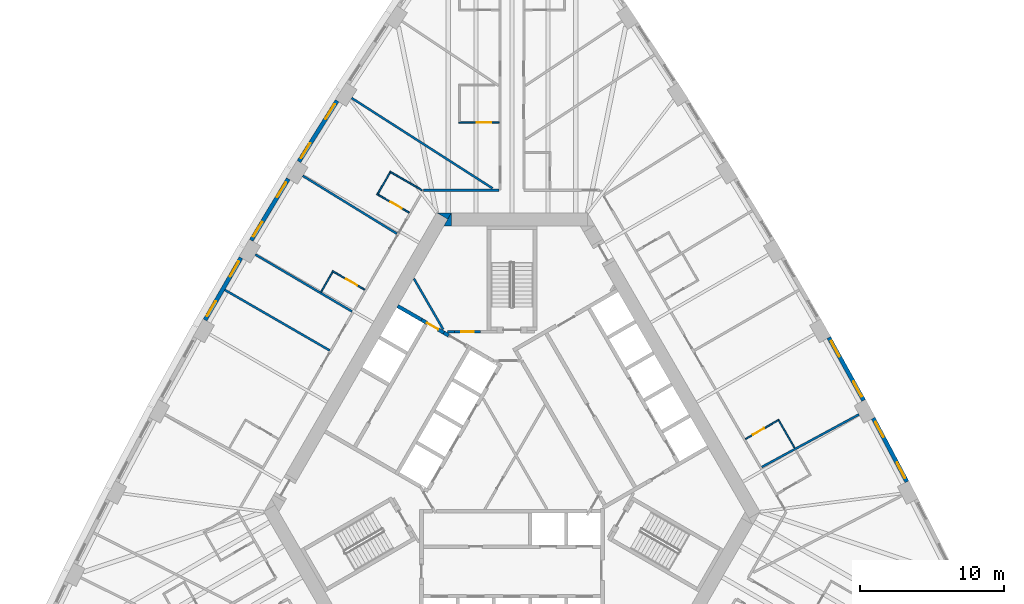
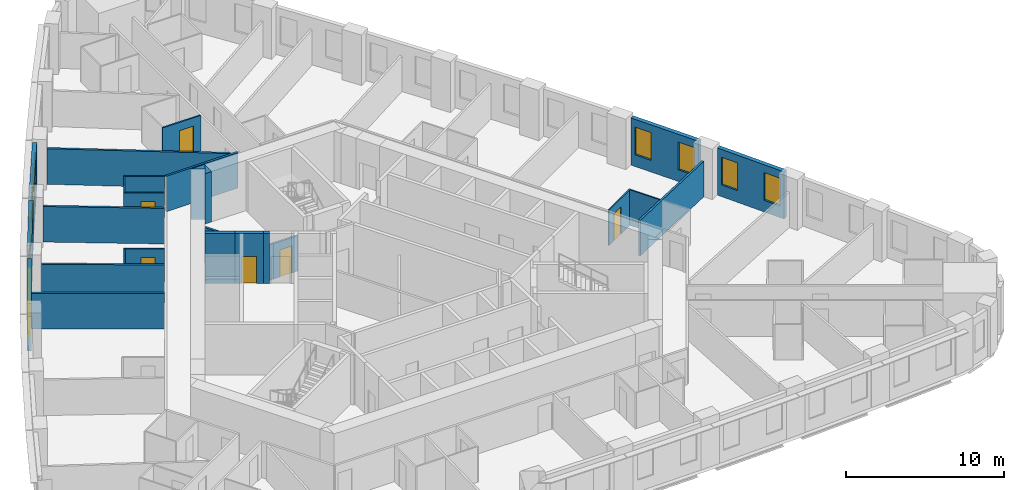
# One storey, part 9 of 13: 27 walls, 10 windows, 6 doors, 16 openings.
"""IFC4 building model written with IfcOpenShell, lengths in metres."""

import ifcopenshell
import ifcopenshell.guid

model = None  # the IFC model being written
_history = None  # IfcOwnerHistory: only IFC2X3 demands one
_inside = {}  # id of a spatial element -> (the spatial element, [elements in it])
_under = {}  # id of a project, library or spatial element -> (it, [spatial elements below it])
_declared = {}  # id of a project -> (the project, [libraries it declares])
_typed = {}  # id of a type object -> (the type object, [elements of that type])
_made_of = {}  # id of a material, layer set ... -> (it, [elements and type objects made of it])


def new_model(schema):
    """Start an empty IFC model of exactly this schema.

    Asked for "IFC4X3", IfcOpenShell would pick the latest addendum, in which some entities
    have other attributes; the version numbers below select the first issue.
    IFC2X3 requires an IfcOwnerHistory on every rooted entity: one is made here for all.
    """
    global model, _history
    if schema == "IFC4X3":
        model = ifcopenshell.file(schema_version=(4, 3, 0, 0))
    else:
        model = ifcopenshell.file(schema=schema)
    _inside.clear()
    _under.clear()
    _declared.clear()
    _typed.clear()
    _made_of.clear()
    _history = None
    if model.schema == "IFC2X3":
        org = make("IfcOrganization", Name="unknown")
        user = make(
            "IfcPersonAndOrganization",
            ThePerson=make("IfcPerson", FamilyName="unknown"),
            TheOrganization=org,
        )
        app = make(
            "IfcApplication",
            ApplicationDeveloper=org,
            Version="unknown",
            ApplicationFullName="unknown",
            ApplicationIdentifier="unknown",
        )
        _history = make(
            "IfcOwnerHistory",
            OwningUser=user,
            OwningApplication=app,
            ChangeAction="ADDED",
            CreationDate=0,
        )
    return model


def make(cls, **values):
    """One entity of the class cls with the attributes given. An attribute that is None is left unset."""
    return model.create_entity(
        cls, **{name: value for name, value in values.items() if value is not None}
    )


def rooted(cls, **values):
    """An entity with a GlobalId (a new one), such as an element, a storey or a relation."""
    return make(cls, GlobalId=ifcopenshell.guid.new(), OwnerHistory=_history, **values)


def si_unit(unit_type, name, prefix=None):
    """IfcSIUnit, for example si_unit("LENGTHUNIT", "METRE", prefix="MILLI")."""
    return make("IfcSIUnit", UnitType=unit_type, Prefix=prefix, Name=name)


def assignment(units):
    """IfcUnitAssignment: the units of a project."""
    return None if units is None else make("IfcUnitAssignment", Units=units)


def point(xyz):
    """IfcCartesianPoint."""
    return None if xyz is None else make("IfcCartesianPoint", Coordinates=xyz)


def direction(xyz):
    """IfcDirection."""
    return None if xyz is None else make("IfcDirection", DirectionRatios=xyz)


def frame(location, z_axis=None, x_axis=None):
    """IfcAxis2Placement3D, a coordinate frame: its origin and axes. An axis left out is left unset."""
    return make(
        "IfcAxis2Placement3D",
        Location=point(location),
        Axis=direction(z_axis),
        RefDirection=direction(x_axis),
    )


def frame_2d(location, x_axis=None):
    """IfcAxis2Placement2D, a coordinate frame in the plane: its origin and x axis."""
    return make(
        "IfcAxis2Placement2D", Location=point(location), RefDirection=direction(x_axis)
    )


def origin():
    """The frame at (0, 0, 0) with its axes left unset."""
    return frame((0.0, 0.0, 0.0))


def place(relative_to, where):
    """IfcLocalPlacement: puts the frame where relative to a parent placement (None: the world)."""
    return make(
        "IfcLocalPlacement", PlacementRelTo=relative_to, RelativePlacement=where
    )


def context(
    kind, dimensions, precision=None, world=None, true_north=None, identifier=None
):
    """IfcGeometricRepresentationContext, for example the 3D "Model" context."""
    return make(
        "IfcGeometricRepresentationContext",
        ContextIdentifier=identifier,
        ContextType=kind,
        CoordinateSpaceDimension=dimensions,
        Precision=precision,
        WorldCoordinateSystem=world,
        TrueNorth=true_north,
    )


def subcontext(parent, identifier, kind, view, scale=None):
    """IfcGeometricRepresentationSubContext, for example "Body" below "Model"."""
    return make(
        "IfcGeometricRepresentationSubContext",
        ContextIdentifier=identifier,
        ContextType=kind,
        ParentContext=parent,
        TargetScale=scale,
        TargetView=view,
    )


def project(units=None, contexts=None):
    """IfcProject with its units and contexts."""
    return rooted(
        "IfcProject",
        Name="project",
        RepresentationContexts=contexts,
        UnitsInContext=assignment(units),
    )


def spatial(cls, under=None, at=None, **own):
    """A site, building, storey or space (cls), placed at a placement, below another one or the project."""
    s = rooted(cls, ObjectPlacement=at, **own)
    if under is not None:
        _under.setdefault(under.id(), (under, []))[1].append(s)
    return s


def polyline(points):
    """IfcPolyline through the points."""
    return make("IfcPolyline", Points=[point(p) for p in points])


def profile(cls, at=None, kind="AREA", **sizes):
    """A parametric profile (cls). Its sizes go by their IFC names, for example OverallWidth=200.0."""
    return make(cls, ProfileType=kind, Position=at, **sizes)


def rectangle(**sizes):
    """IfcRectangleProfileDef."""
    return profile("IfcRectangleProfileDef", **sizes)


def outline(outer, holes=None, kind="AREA"):
    """IfcArbitraryClosedProfileDef: a profile drawn as a closed curve; with holes, ...WithVoids."""
    if holes is None:
        return make("IfcArbitraryClosedProfileDef", ProfileType=kind, OuterCurve=outer)
    return make(
        "IfcArbitraryProfileDefWithVoids",
        ProfileType=kind,
        OuterCurve=outer,
        InnerCurves=holes,
    )


def extrude(swept, where, along, depth):
    """IfcExtrudedAreaSolid: the profile swept, set in the frame where, extruded along a direction by depth."""
    return make(
        "IfcExtrudedAreaSolid",
        SweptArea=swept,
        Position=where,
        ExtrudedDirection=direction(along),
        Depth=depth,
    )


def shape(context_of_items, identifier, shape_type, items):
    """IfcShapeRepresentation: the items that make up one representation, for example the "Body"."""
    return make(
        "IfcShapeRepresentation",
        ContextOfItems=context_of_items,
        RepresentationIdentifier=identifier,
        RepresentationType=shape_type,
        Items=items,
    )


def material(Name=None, Category=None):
    """IfcMaterial."""
    return make("IfcMaterial", Name=Name, Category=Category)


def layer(
    of_material, thickness, ventilated=None, Name=None, Category=None, Priority=None
):
    """IfcMaterialLayer: one layer of a wall or slab, of a material (None: an air gap)."""
    return make(
        "IfcMaterialLayer",
        Material=of_material,
        LayerThickness=thickness,
        IsVentilated=ventilated,
        Name=Name,
        Category=Category,
        Priority=Priority,
    )


def layer_set(layers, Name=None):
    """IfcMaterialLayerSet."""
    return make("IfcMaterialLayerSet", MaterialLayers=layers, LayerSetName=Name)


def made_of(thing, what):
    """Note that an element or type object is made of a material, layer set ...; save() writes the relation."""
    if what is not None:
        _made_of.setdefault(what.id(), (what, []))[1].append(thing)
    return thing


def type_object(cls, material=None, **own):
    """A type object (cls), such as IfcWallType, which elements share."""
    return made_of(rooted(cls, **own), material)


def element(
    cls,
    number,
    at=None,
    inside=None,
    cuts=None,
    type_object=None,
    material=None,
    context=None,
    identifier="Body",
    shape_type=None,
    held_by="IfcProductDefinitionShape",
    body=None,
    shapes=None,
    **own,
):
    """One element of the class cls, such as IfcWall. Its Tag is "e" and its number.

    at: its placement. inside: the storey or other place that contains it. cuts: it is an
    opening in that element (IfcRelVoidsElement). A single representation is given by context,
    identifier, shape_type and body (its items); several are given by shapes. held_by: the class
    of the entity that holds the representations. save() writes the other relations.
    """
    e = rooted(cls, Tag="e%d" % number, ObjectPlacement=at, **own)
    if body is not None:
        shapes = [shape(context, identifier, shape_type, body)]
    if shapes is not None:
        e.Representation = make(held_by, Representations=shapes)
    if inside is not None:
        _inside.setdefault(inside.id(), (inside, []))[1].append(e)
    if cuts is not None:
        rooted(
            "IfcRelVoidsElement", RelatingBuildingElement=cuts, RelatedOpeningElement=e
        )
    if type_object is not None:
        _typed.setdefault(type_object.id(), (type_object, []))[1].append(e)
    return made_of(e, material)


def fill(opening, filler):
    """IfcRelFillsElement: the door or window that sits in an opening."""
    return rooted(
        "IfcRelFillsElement",
        RelatingOpeningElement=opening,
        RelatedBuildingElement=filler,
    )


def aggregate(whole, parts):
    """IfcRelAggregates: a whole, such as a stair, and the parts it consists of."""
    return rooted("IfcRelAggregates", RelatingObject=whole, RelatedObjects=parts)


def save(model, path):
    """Write the relations noted so far, then the file.

    IfcRelAggregates (storeys below a building ...), IfcRelContainedInSpatialStructure (elements
    in a storey), IfcRelDefinesByType, IfcRelAssociatesMaterial and IfcRelDeclares: one each for
    every whole, place, type object, material and project.
    """
    for whole, parts in _under.values():
        aggregate(whole, parts)
    for where, things in _inside.values():
        rooted(
            "IfcRelContainedInSpatialStructure",
            RelatedElements=things,
            RelatingStructure=where,
        )
    for kind, things in _typed.values():
        rooted("IfcRelDefinesByType", RelatedObjects=things, RelatingType=kind)
    for what, things in _made_of.values():
        rooted("IfcRelAssociatesMaterial", RelatedObjects=things, RelatingMaterial=what)
    for by, libraries in _declared.values():
        rooted("IfcRelDeclares", RelatingContext=by, RelatedDefinitions=libraries)
    model.write(path)


model = new_model("IFC4")

# Units and contexts
model_context = context("Model", 3, precision=1e-05, world=origin(), true_north=direction((0.0, 1.0)))
body_context = subcontext(model_context, "Body", "Model", "MODEL_VIEW")
ifc_project = project(units=[si_unit("LENGTHUNIT", "METRE"), si_unit("AREAUNIT", "SQUARE_METRE"), si_unit("VOLUMEUNIT", "CUBIC_METRE"), si_unit("PLANEANGLEUNIT", "RADIAN"), si_unit("MASSUNIT", "GRAM", prefix="KILO")], contexts=[model_context])

# Site, building, storey
site_placement = place(None, origin())
site = spatial("IfcSite", under=ifc_project, at=site_placement, CompositionType="ELEMENT")
building_placement = place(site_placement, origin())
building = spatial("IfcBuilding", under=site, at=building_placement, Name="Mestral Congress Tower", CompositionType="ELEMENT")
storey_placement = place(building_placement, frame((0.0, 0.0, 51.0)))
storey = spatial("IfcBuildingStorey", under=building, at=storey_placement, Name="L11", CompositionType="ELEMENT", Elevation=51.0)

# Walls
ifc_material_1 = material(Name="Fire-rated board partition")
ifc_layer_1 = layer(ifc_material_1, 0.14990234375)
ifc_layer_set_1 = layer_set([ifc_layer_1], Name="Fire-rated board partition")
wall_type_1 = type_object("IfcWallType", Name="Core partition 150", PredefinedType="PARTITIONING", material=ifc_layer_set_1)
wall_1_placement = place(storey_placement, frame((-6.8232421875, 12.318115234375, 0.0), z_axis=(0.0, 0.0, 1.0), x_axis=(0.500007885066, -0.866020851292, 0.0)))
element("IfcWall", 1, at=wall_1_placement, inside=storey, type_object=wall_type_1, Name="L11 core wall", PredefinedType="PARTITIONING", context=body_context, shape_type="SweptSolid", body=[
    extrude(rectangle(XDim=4.072265625, YDim=0.14990234375, at=frame_2d((2.0361328125, 0.0))), origin(), (0.0, 0.0, 1.0), 2.75),
])
wall_2_placement = place(storey_placement, frame((-4.497802734375, 8.625244140625, 0.0), z_axis=(0.0, 0.0, 1.0), x_axis=(1.0, 0.0, 0.0)))
element("IfcWall", 2, at=wall_2_placement, inside=storey, type_object=wall_type_1, Name="L11 core wall", PredefinedType="PARTITIONING", context=body_context, shape_type="SweptSolid", body=[
    extrude(rectangle(XDim=0.50244140625, YDim=0.14990234375, at=frame_2d((0.251220703125, 0.0))), origin(), (0.0, 0.0, 1.0), 2.75),
])

# Wall, opening, door
wall_3_placement = place(storey_placement, frame((-2.1953125, 8.625, 0.0), z_axis=(0.0, 0.0, 1.0), x_axis=(-1.0, 0.0, 0.0)))
wall_3 = element("IfcWall", 3, at=wall_3_placement, inside=storey, type_object=wall_type_1, Name="L11 door wall", PredefinedType="PARTITIONING", context=body_context, shape_type="SweptSolid", body=[
    extrude(rectangle(XDim=1.7998046875, YDim=0.14990234375, at=frame_2d((0.89990234375, 0.0))), origin(), (0.0, 0.0, 1.0), 2.75),
])
opening_1_placement = place(wall_3_placement, frame((0.449951171875, 0.0, 0.0)))
opening_1 = element("IfcOpeningElement", 4, at=opening_1_placement, cuts=wall_3, Name="Opening TD2", PredefinedType="OPENING", context=body_context, shape_type="SweptSolid", body=[
    extrude(rectangle(XDim=0.89990234375, YDim=2.10009765625, at=frame_2d((0.449951171875, 1.050048828125))), frame((0.0, 0.0849609375, 0.0), z_axis=(0.0, -1.0, 0.0), x_axis=(1.0, 0.0, 0.0)), (0.0, 0.0, 1.0), 0.169921875),
])
ifc_material_2 = material(Name="Fire-rated steel door set", Category="steel")
door_type_1 = type_object("IfcDoorType", Name="Core door SR 900x2100", OperationType="SINGLE_SWING_LEFT", PredefinedType="DOOR", material=ifc_material_2)
door_1_placement = place(opening_1_placement, origin())
door_1 = element("IfcDoor", 5, at=door_1_placement, inside=storey, type_object=door_type_1, Name="Door TD2", OperationType="SINGLE_SWING_LEFT", OverallHeight=2.10009765625, OverallWidth=0.89990234375, PredefinedType="DOOR", context=body_context, shape_type="SweptSolid", body=[
    extrude(rectangle(XDim=0.89990234375, YDim=2.10009765625, at=frame_2d((0.449951171875, 1.050048828125))), frame((0.0, 0.02490234375, 0.0), z_axis=(0.0, -1.0, 0.0), x_axis=(1.0, 0.0, 0.0)), (0.0, 0.0, 1.0), 0.050048828125),
])
fill(opening_1, door_1)

# Walls
ifc_material_3 = material(Name="Concrete C60/75", Category="concrete")
ifc_layer_2 = layer(ifc_material_3, 0.89990234375)
ifc_layer_set_2 = layer_set([ifc_layer_2], Name="Concrete C60/75")
wall_type_2 = type_object("IfcWallType", Name="Core wall RC 900", PredefinedType="SOLIDWALL", material=ifc_layer_set_2)
placement = place(storey_placement, origin())
element("IfcWall", 6, at=placement, inside=storey, type_object=wall_type_2, Name="L11 core wall", PredefinedType="SOLIDWALL", context=body_context, shape_type="SweptSolid", body=[
    extrude(outline(polyline([(-4.214599609375, 16.89990234375), (-4.46875, 16.460205078125), (-5.230712890625, 16.89990234375), (-4.214599609375, 16.89990234375)])), origin(), (0.0, 0.0, 1.0), 3.89990234375),
])
element("IfcWall", 7, at=placement, inside=storey, type_object=wall_type_2, Name="L11 core wall", PredefinedType="SOLIDWALL", context=body_context, shape_type="SweptSolid", body=[
    extrude(outline(polyline([(-4.734375, 16.0), (-4.226318359375, 16.8798828125), (-4.226318359375, 16.0), (-4.734375, 16.0)])), origin(), (0.0, 0.0, 1.0), 3.89990234375),
])

# Wall, openings, windows
ifc_material_4 = material(Name="Precast concrete C40/50 with limestone facing", Category="masonry")
ifc_layer_3 = layer(ifc_material_4, 0.2900390625)
ifc_layer_set_3 = layer_set([ifc_layer_3], Name="Precast concrete C40/50 with limestone facing")
wall_type_3 = type_object("IfcWallType", Name="Facade stone wall 290", PredefinedType="SOLIDWALL", material=ifc_layer_set_3)
wall_6_placement = place(storey_placement, frame((27.47509765625, -1.810302734375, 0.0), z_axis=(0.0, 0.0, 1.0), x_axis=(-0.467629620899, 0.883924509026, 0.0)))
wall_6 = element("IfcWall", 8, at=wall_6_placement, inside=storey, type_object=wall_type_3, Name="Facade wall F1-02", PredefinedType="SOLIDWALL", context=body_context, shape_type="SweptSolid", body=[
    extrude(rectangle(XDim=4.998291015625, YDim=0.2900390625, at=frame_2d((2.4990234375, 0.0))), origin(), (0.0, 0.0, 1.0), 3.64990234375),
])
opening_2_placement = place(wall_6_placement, frame((0.297119140625, 0.0, 0.89990234375)))
opening_2 = element("IfcOpeningElement", 9, at=opening_2_placement, cuts=wall_6, Name="Opening W1", PredefinedType="OPENING", context=body_context, shape_type="SweptSolid", body=[
    extrude(rectangle(XDim=1.199951171875, YDim=2.14990234375, at=frame_2d((0.60009765625, 1.074951171875))), frame((0.0, 0.155029296875, 0.0), z_axis=(0.0, -1.0, 0.0), x_axis=(1.0, 0.0, 0.0)), (0.0, 0.0, 1.0), 0.31005859375),
])
opening_3_placement = place(wall_6_placement, frame((3.501220703125, 0.0, 0.89990234375)))
opening_3 = element("IfcOpeningElement", 10, at=opening_3_placement, cuts=wall_6, Name="Opening W1", PredefinedType="OPENING", context=body_context, shape_type="SweptSolid", body=[
    extrude(rectangle(XDim=1.199951171875, YDim=2.14990234375, at=frame_2d((0.60009765625, 1.074951171875))), frame((0.0, 0.155029296875, 0.0), z_axis=(0.0, -1.0, 0.0), x_axis=(1.0, 0.0, 0.0)), (0.0, 0.0, 1.0), 0.31005859375),
])
ifc_material_5 = material(Name="Clear low-emissivity double glazing", Category="glass")
window_type = type_object("IfcWindowType", Name="Facade punched window 1200 x 2150 sill 900", PartitioningType="DOUBLE_PANEL_VERTICAL", PredefinedType="WINDOW", material=ifc_material_5)
window_1_placement = place(opening_2_placement, origin())
window_1 = element("IfcWindow", 11, at=window_1_placement, inside=storey, type_object=window_type, Name="Window F1-02a", OverallHeight=2.14990234375, OverallWidth=1.199951171875, PartitioningType="DOUBLE_PANEL_VERTICAL", PredefinedType="WINDOW", context=body_context, shape_type="SweptSolid", body=[
    extrude(rectangle(XDim=1.199951171875, YDim=2.14990234375, at=frame_2d((0.60009765625, 1.074951171875))), frame((0.0, 0.01513671875, 0.0), z_axis=(0.0, -1.0, 0.0), x_axis=(1.0, 0.0, 0.0)), (0.0, 0.0, 1.0), 0.06005859375),
])
fill(opening_2, window_1)
window_2_placement = place(opening_3_placement, origin())
window_2 = element("IfcWindow", 12, at=window_2_placement, inside=storey, type_object=window_type, Name="Window F1-02b", OverallHeight=2.14990234375, OverallWidth=1.199951171875, PartitioningType="DOUBLE_PANEL_VERTICAL", PredefinedType="WINDOW", context=body_context, shape_type="SweptSolid", body=[
    extrude(rectangle(XDim=1.199951171875, YDim=2.14990234375, at=frame_2d((0.60009765625, 1.074951171875))), frame((0.0, 0.01513671875, 0.0), z_axis=(0.0, -1.0, 0.0), x_axis=(1.0, 0.0, 0.0)), (0.0, 0.0, 1.0), 0.06005859375),
])
fill(opening_3, window_2)

wall_7_placement = place(storey_placement, frame((24.46826171875, 3.845703125, 0.0), z_axis=(0.0, 0.0, 1.0), x_axis=(-0.483912572871, 0.875116347589, 0.0)))
wall_7 = element("IfcWall", 13, at=wall_7_placement, inside=storey, type_object=wall_type_3, Name="Facade wall F1-03", PredefinedType="SOLIDWALL", context=body_context, shape_type="SweptSolid", body=[
    extrude(rectangle(XDim=4.998291015625, YDim=0.2900390625, at=frame_2d((2.4990234375, 0.0))), origin(), (0.0, 0.0, 1.0), 3.64990234375),
])
opening_4_placement = place(wall_7_placement, frame((0.297119140625, 0.0, 0.89990234375)))
opening_4 = element("IfcOpeningElement", 14, at=opening_4_placement, cuts=wall_7, Name="Opening W1", PredefinedType="OPENING", context=body_context, shape_type="SweptSolid", body=[
    extrude(rectangle(XDim=1.199951171875, YDim=2.14990234375, at=frame_2d((0.60009765625, 1.074951171875))), frame((0.0, 0.155029296875, 0.0), z_axis=(0.0, -1.0, 0.0), x_axis=(1.0, 0.0, 0.0)), (0.0, 0.0, 1.0), 0.31005859375),
])
opening_5_placement = place(wall_7_placement, frame((3.501220703125, 0.0, 0.89990234375)))
opening_5 = element("IfcOpeningElement", 15, at=opening_5_placement, cuts=wall_7, Name="Opening W1", PredefinedType="OPENING", context=body_context, shape_type="SweptSolid", body=[
    extrude(rectangle(XDim=1.199951171875, YDim=2.14990234375, at=frame_2d((0.60009765625, 1.074951171875))), frame((0.0, 0.155029296875, 0.0), z_axis=(0.0, -1.0, 0.0), x_axis=(1.0, 0.0, 0.0)), (0.0, 0.0, 1.0), 0.31005859375),
])
window_3_placement = place(opening_4_placement, origin())
window_3 = element("IfcWindow", 16, at=window_3_placement, inside=storey, type_object=window_type, Name="Window F1-03a", OverallHeight=2.14990234375, OverallWidth=1.199951171875, PartitioningType="DOUBLE_PANEL_VERTICAL", PredefinedType="WINDOW", context=body_context, shape_type="SweptSolid", body=[
    extrude(rectangle(XDim=1.199951171875, YDim=2.14990234375, at=frame_2d((0.60009765625, 1.074951171875))), frame((0.0, 0.01513671875, 0.0), z_axis=(0.0, -1.0, 0.0), x_axis=(1.0, 0.0, 0.0)), (0.0, 0.0, 1.0), 0.06005859375),
])
fill(opening_4, window_3)
window_4_placement = place(opening_5_placement, origin())
window_4 = element("IfcWindow", 17, at=window_4_placement, inside=storey, type_object=window_type, Name="Window F1-03b", OverallHeight=2.14990234375, OverallWidth=1.199951171875, PartitioningType="DOUBLE_PANEL_VERTICAL", PredefinedType="WINDOW", context=body_context, shape_type="SweptSolid", body=[
    extrude(rectangle(XDim=1.199951171875, YDim=2.14990234375, at=frame_2d((0.60009765625, 1.074951171875))), frame((0.0, 0.01513671875, 0.0), z_axis=(0.0, -1.0, 0.0), x_axis=(1.0, 0.0, 0.0)), (0.0, 0.0, 1.0), 0.06005859375),
])
fill(opening_5, window_4)

wall_8_placement = place(storey_placement, frame((-12.169921875, 24.69921875, 0.0), z_axis=(0.0, 0.0, 1.0), x_axis=(-0.531688286542, -0.846940119462, 0.0)))
wall_8 = element("IfcWall", 18, at=wall_8_placement, inside=storey, type_object=wall_type_3, Name="Facade wall F2-02", PredefinedType="SOLIDWALL", context=body_context, shape_type="SweptSolid", body=[
    extrude(rectangle(XDim=4.998291015625, YDim=0.2900390625, at=frame_2d((2.4990234375, 0.0))), origin(), (0.0, 0.0, 1.0), 3.64990234375),
])
opening_6_placement = place(wall_8_placement, frame((0.297119140625, 0.0, 0.89990234375)))
opening_6 = element("IfcOpeningElement", 19, at=opening_6_placement, cuts=wall_8, Name="Opening W1", PredefinedType="OPENING", context=body_context, shape_type="SweptSolid", body=[
    extrude(rectangle(XDim=1.199951171875, YDim=2.14990234375, at=frame_2d((0.60009765625, 1.074951171875))), frame((0.0, 0.155029296875, 0.0), z_axis=(0.0, -1.0, 0.0), x_axis=(1.0, 0.0, 0.0)), (0.0, 0.0, 1.0), 0.31005859375),
])
opening_7_placement = place(wall_8_placement, frame((3.501220703125, 0.0, 0.89990234375)))
opening_7 = element("IfcOpeningElement", 20, at=opening_7_placement, cuts=wall_8, Name="Opening W1", PredefinedType="OPENING", context=body_context, shape_type="SweptSolid", body=[
    extrude(rectangle(XDim=1.199951171875, YDim=2.14990234375, at=frame_2d((0.60009765625, 1.074951171875))), frame((0.0, 0.155029296875, 0.0), z_axis=(0.0, -1.0, 0.0), x_axis=(1.0, 0.0, 0.0)), (0.0, 0.0, 1.0), 0.31005859375),
])
window_5_placement = place(opening_6_placement, origin())
window_5 = element("IfcWindow", 21, at=window_5_placement, inside=storey, type_object=window_type, Name="Window F2-02a", OverallHeight=2.14990234375, OverallWidth=1.199951171875, PartitioningType="DOUBLE_PANEL_VERTICAL", PredefinedType="WINDOW", context=body_context, shape_type="SweptSolid", body=[
    extrude(rectangle(XDim=1.199951171875, YDim=2.14990234375, at=frame_2d((0.60009765625, 1.074951171875))), frame((0.0, 0.01513671875, 0.0), z_axis=(0.0, -1.0, 0.0), x_axis=(1.0, 0.0, 0.0)), (0.0, 0.0, 1.0), 0.06005859375),
])
fill(opening_6, window_5)
window_6_placement = place(opening_7_placement, origin())
window_6 = element("IfcWindow", 22, at=window_6_placement, inside=storey, type_object=window_type, Name="Window F2-02b", OverallHeight=2.14990234375, OverallWidth=1.199951171875, PartitioningType="DOUBLE_PANEL_VERTICAL", PredefinedType="WINDOW", context=body_context, shape_type="SweptSolid", body=[
    extrude(rectangle(XDim=1.199951171875, YDim=2.14990234375, at=frame_2d((0.60009765625, 1.074951171875))), frame((0.0, 0.01513671875, 0.0), z_axis=(0.0, -1.0, 0.0), x_axis=(1.0, 0.0, 0.0)), (0.0, 0.0, 1.0), 0.06005859375),
])
fill(opening_7, window_6)

wall_9_placement = place(storey_placement, frame((-15.564453125, 19.267333984375, 0.0), z_axis=(0.0, 0.0, 1.0), x_axis=(-0.515938796285, -0.856625448191, 0.0)))
wall_9 = element("IfcWall", 23, at=wall_9_placement, inside=storey, type_object=wall_type_3, Name="Facade wall F2-03", PredefinedType="SOLIDWALL", context=body_context, shape_type="SweptSolid", body=[
    extrude(rectangle(XDim=4.998291015625, YDim=0.2900390625, at=frame_2d((2.4990234375, 0.0))), origin(), (0.0, 0.0, 1.0), 3.64990234375),
])
opening_8_placement = place(wall_9_placement, frame((0.297119140625, 0.0, 0.89990234375)))
opening_8 = element("IfcOpeningElement", 24, at=opening_8_placement, cuts=wall_9, Name="Opening W1", PredefinedType="OPENING", context=body_context, shape_type="SweptSolid", body=[
    extrude(rectangle(XDim=1.199951171875, YDim=2.14990234375, at=frame_2d((0.60009765625, 1.074951171875))), frame((0.0, 0.155029296875, 0.0), z_axis=(0.0, -1.0, 0.0), x_axis=(1.0, 0.0, 0.0)), (0.0, 0.0, 1.0), 0.31005859375),
])
opening_9_placement = place(wall_9_placement, frame((3.501220703125, 0.0, 0.89990234375)))
opening_9 = element("IfcOpeningElement", 25, at=opening_9_placement, cuts=wall_9, Name="Opening W1", PredefinedType="OPENING", context=body_context, shape_type="SweptSolid", body=[
    extrude(rectangle(XDim=1.199951171875, YDim=2.14990234375, at=frame_2d((0.60009765625, 1.074951171875))), frame((0.0, 0.155029296875, 0.0), z_axis=(0.0, -1.0, 0.0), x_axis=(1.0, 0.0, 0.0)), (0.0, 0.0, 1.0), 0.31005859375),
])
window_7_placement = place(opening_8_placement, origin())
window_7 = element("IfcWindow", 26, at=window_7_placement, inside=storey, type_object=window_type, Name="Window F2-03a", OverallHeight=2.14990234375, OverallWidth=1.199951171875, PartitioningType="DOUBLE_PANEL_VERTICAL", PredefinedType="WINDOW", context=body_context, shape_type="SweptSolid", body=[
    extrude(rectangle(XDim=1.199951171875, YDim=2.14990234375, at=frame_2d((0.60009765625, 1.074951171875))), frame((0.0, 0.01513671875, 0.0), z_axis=(0.0, -1.0, 0.0), x_axis=(1.0, 0.0, 0.0)), (0.0, 0.0, 1.0), 0.06005859375),
])
fill(opening_8, window_7)
window_8_placement = place(opening_9_placement, origin())
window_8 = element("IfcWindow", 27, at=window_8_placement, inside=storey, type_object=window_type, Name="Window F2-03b", OverallHeight=2.14990234375, OverallWidth=1.199951171875, PartitioningType="DOUBLE_PANEL_VERTICAL", PredefinedType="WINDOW", context=body_context, shape_type="SweptSolid", body=[
    extrude(rectangle(XDim=1.199951171875, YDim=2.14990234375, at=frame_2d((0.60009765625, 1.074951171875))), frame((0.0, 0.01513671875, 0.0), z_axis=(0.0, -1.0, 0.0), x_axis=(1.0, 0.0, 0.0)), (0.0, 0.0, 1.0), 0.06005859375),
])
fill(opening_9, window_8)

wall_10_placement = place(storey_placement, frame((-18.85791015625, 13.7734375, 0.0), z_axis=(0.0, 0.0, 1.0), x_axis=(-0.50002123722, -0.866013142123, 0.0)))
wall_10 = element("IfcWall", 28, at=wall_10_placement, inside=storey, type_object=wall_type_3, Name="Facade wall F2-04", PredefinedType="SOLIDWALL", context=body_context, shape_type="SweptSolid", body=[
    extrude(rectangle(XDim=4.998291015625, YDim=0.2900390625, at=frame_2d((2.4990234375, 0.0))), origin(), (0.0, 0.0, 1.0), 3.64990234375),
])
opening_10_placement = place(wall_10_placement, frame((0.297119140625, 0.0, 0.89990234375)))
opening_10 = element("IfcOpeningElement", 29, at=opening_10_placement, cuts=wall_10, Name="Opening W1", PredefinedType="OPENING", context=body_context, shape_type="SweptSolid", body=[
    extrude(rectangle(XDim=1.199951171875, YDim=2.14990234375, at=frame_2d((0.60009765625, 1.074951171875))), frame((0.0, 0.155029296875, 0.0), z_axis=(0.0, -1.0, 0.0), x_axis=(1.0, 0.0, 0.0)), (0.0, 0.0, 1.0), 0.31005859375),
])
opening_11_placement = place(wall_10_placement, frame((3.501220703125, 0.0, 0.89990234375)))
opening_11 = element("IfcOpeningElement", 30, at=opening_11_placement, cuts=wall_10, Name="Opening W1", PredefinedType="OPENING", context=body_context, shape_type="SweptSolid", body=[
    extrude(rectangle(XDim=1.199951171875, YDim=2.14990234375, at=frame_2d((0.60009765625, 1.074951171875))), frame((0.0, 0.155029296875, 0.0), z_axis=(0.0, -1.0, 0.0), x_axis=(1.0, 0.0, 0.0)), (0.0, 0.0, 1.0), 0.31005859375),
])
window_9_placement = place(opening_10_placement, origin())
window_9 = element("IfcWindow", 31, at=window_9_placement, inside=storey, type_object=window_type, Name="Window F2-04a", OverallHeight=2.14990234375, OverallWidth=1.199951171875, PartitioningType="DOUBLE_PANEL_VERTICAL", PredefinedType="WINDOW", context=body_context, shape_type="SweptSolid", body=[
    extrude(rectangle(XDim=1.199951171875, YDim=2.14990234375, at=frame_2d((0.60009765625, 1.074951171875))), frame((0.0, 0.01513671875, 0.0), z_axis=(0.0, -1.0, 0.0), x_axis=(1.0, 0.0, 0.0)), (0.0, 0.0, 1.0), 0.06005859375),
])
fill(opening_10, window_9)
window_10_placement = place(opening_11_placement, origin())
window_10 = element("IfcWindow", 32, at=window_10_placement, inside=storey, type_object=window_type, Name="Window F2-04b", OverallHeight=2.14990234375, OverallWidth=1.199951171875, PartitioningType="DOUBLE_PANEL_VERTICAL", PredefinedType="WINDOW", context=body_context, shape_type="SweptSolid", body=[
    extrude(rectangle(XDim=1.199951171875, YDim=2.14990234375, at=frame_2d((0.60009765625, 1.074951171875))), frame((0.0, 0.01513671875, 0.0), z_axis=(0.0, -1.0, 0.0), x_axis=(1.0, 0.0, 0.0)), (0.0, 0.0, 1.0), 0.06005859375),
])
fill(opening_11, window_10)

# Wall, opening, door
ifc_material_6 = material(Name="Gypsum board partition on metal studs with mineral wool", Category="composite")
ifc_layer_4 = layer(ifc_material_6, 0.10009765625)
ifc_layer_set_4 = layer_set([ifc_layer_4], Name="Gypsum board partition on metal studs with mineral wool")
wall_type_4 = type_object("IfcWallType", Name="Hotel partition wall 100", PredefinedType="PARTITIONING", material=ifc_layer_set_4)
wall_11_placement = place(storey_placement, frame((18.585693359375, 2.5087890625, 0.0), z_axis=(0.0, 0.0, 1.0), x_axis=(-0.866059108428, -0.4999416173, 0.0)))
wall_11 = element("IfcWall", 33, at=wall_11_placement, inside=storey, type_object=wall_type_4, Name="L11-h-pod12a", PredefinedType="PARTITIONING", context=body_context, shape_type="SweptSolid", body=[
    extrude(rectangle(XDim=2.699951171875, YDim=0.10009765625, at=frame_2d((1.35009765625, 0.0))), origin(), (0.0, 0.0, 1.0), 2.75),
])
opening_12_placement = place(wall_11_placement, frame((1.199951171875, 0.0, 0.0)))
opening_12 = element("IfcOpeningElement", 34, at=opening_12_placement, cuts=wall_11, Name="Opening H03-024", PredefinedType="OPENING", context=body_context, shape_type="SweptSolid", body=[
    extrude(rectangle(XDim=0.89990234375, YDim=2.10009765625, at=frame_2d((0.449951171875, 1.050048828125))), frame((0.0, 0.06005859375, 0.0), z_axis=(0.0, -1.0, 0.0), x_axis=(1.0, 0.0, 0.0)), (0.0, 0.0, 1.0), 0.1201171875),
])
ifc_material_7 = material(Name="Timber veneer door leaf in timber frame", Category="wood")
door_type_2 = type_object("IfcDoorType", Name="Bathroom door 900", OperationType="SINGLE_SWING_LEFT", PredefinedType="DOOR", material=ifc_material_7)
door_2_placement = place(opening_12_placement, origin())
door_2 = element("IfcDoor", 35, at=door_2_placement, inside=storey, type_object=door_type_2, Name="L11-h-d024", OperationType="SINGLE_SWING_RIGHT", OverallHeight=2.10009765625, OverallWidth=0.89990234375, PredefinedType="DOOR", context=body_context, shape_type="SweptSolid", body=[
    extrude(rectangle(XDim=0.89990234375, YDim=2.10009765625, at=frame_2d((0.449951171875, 1.050048828125))), frame((0.0, 0.02490234375, 0.0), z_axis=(0.0, -1.0, 0.0), x_axis=(1.0, 0.0, 0.0)), (0.0, 0.0, 1.0), 0.050048828125),
])
fill(opening_12, door_2)

# Wall
wall_12_placement = place(storey_placement, frame((18.5673828125, 2.440673828125, 0.0), z_axis=(0.0, 0.0, 1.0), x_axis=(0.499946605688, -0.86605622881, 0.0)))
element("IfcWall", 36, at=wall_12_placement, inside=storey, type_object=wall_type_4, Name="L11-h-pod12b", PredefinedType="PARTITIONING", context=body_context, shape_type="SweptSolid", body=[
    extrude(rectangle(XDim=2.199951171875, YDim=0.10009765625, at=frame_2d((1.10009765625, 0.0))), origin(), (0.0, 0.0, 1.0), 2.75),
])

# Wall, opening, door
wall_13_placement = place(storey_placement, frame((-3.699951171875, 23.194580078125, 0.0), z_axis=(0.0, 0.0, 1.0), x_axis=(1.0, 0.0, 0.0)))
wall_13 = element("IfcWall", 37, at=wall_13_placement, inside=storey, type_object=wall_type_4, Name="L11-h-pod19a", PredefinedType="PARTITIONING", context=body_context, shape_type="SweptSolid", body=[
    extrude(rectangle(XDim=2.800048828125, YDim=0.10009765625, at=frame_2d((1.39990234375, 0.0))), origin(), (0.0, 0.0, 1.0), 2.75),
])
opening_13_placement = place(wall_13_placement, frame((1.25, 0.0, 0.0)))
opening_13 = element("IfcOpeningElement", 38, at=opening_13_placement, cuts=wall_13, Name="Opening H03-037", PredefinedType="OPENING", context=body_context, shape_type="SweptSolid", body=[
    extrude(rectangle(XDim=1.0, YDim=2.10009765625, at=frame_2d((0.5, 1.050048828125))), frame((0.0, 0.06005859375, 0.0), z_axis=(0.0, -1.0, 0.0), x_axis=(1.0, 0.0, 0.0)), (0.0, 0.0, 1.0), 0.1201171875),
])
door_type_3 = type_object("IfcDoorType", Name="Accessible bathroom door 1000", OperationType="SINGLE_SWING_LEFT", PredefinedType="DOOR", material=ifc_material_7)
door_3_placement = place(opening_13_placement, origin())
door_3 = element("IfcDoor", 39, at=door_3_placement, inside=storey, type_object=door_type_3, Name="L11-h-d037", OperationType="SINGLE_SWING_LEFT", OverallHeight=2.10009765625, OverallWidth=1.0, PredefinedType="DOOR", context=body_context, shape_type="SweptSolid", body=[
    extrude(rectangle(XDim=1.0, YDim=2.10009765625, at=frame_2d((0.5, 1.050048828125))), frame((0.0, 0.02490234375, 0.0), z_axis=(0.0, -1.0, 0.0), x_axis=(1.0, 0.0, 0.0)), (0.0, 0.0, 1.0), 0.050048828125),
])
fill(opening_13, door_3)

wall_14_placement = place(storey_placement, frame((-9.40478515625, 18.21044921875, 0.0), z_axis=(0.0, 0.0, 1.0), x_axis=(0.865997922154, -0.500047596559, 0.0)))
wall_14 = element("IfcWall", 40, at=wall_14_placement, inside=storey, type_object=wall_type_4, Name="L11-h-pod20a", PredefinedType="PARTITIONING", context=body_context, shape_type="SweptSolid", body=[
    extrude(rectangle(XDim=2.599853515625, YDim=0.10009765625, at=frame_2d((1.2998046875, 0.0))), origin(), (0.0, 0.0, 1.0), 2.75),
])
opening_14_placement = place(wall_14_placement, frame((1.10009765625, 0.0, 0.0)))
opening_14 = element("IfcOpeningElement", 41, at=opening_14_placement, cuts=wall_14, Name="Opening H03-039", PredefinedType="OPENING", context=body_context, shape_type="SweptSolid", body=[
    extrude(rectangle(XDim=0.89990234375, YDim=2.10009765625, at=frame_2d((0.449951171875, 1.050048828125))), frame((0.0, 0.06005859375, 0.0), z_axis=(0.0, -1.0, 0.0), x_axis=(1.0, 0.0, 0.0)), (0.0, 0.0, 1.0), 0.1201171875),
])
door_4_placement = place(opening_14_placement, origin())
door_4 = element("IfcDoor", 42, at=door_4_placement, inside=storey, type_object=door_type_2, Name="L11-h-d039", OperationType="SINGLE_SWING_LEFT", OverallHeight=2.10009765625, OverallWidth=0.89990234375, PredefinedType="DOOR", context=body_context, shape_type="SweptSolid", body=[
    extrude(rectangle(XDim=0.89990234375, YDim=2.10009765625, at=frame_2d((0.449951171875, 1.050048828125))), frame((0.0, 0.02490234375, 0.0), z_axis=(0.0, -1.0, 0.0), x_axis=(1.0, 0.0, 0.0)), (0.0, 0.0, 1.0), 0.050048828125),
])
fill(opening_14, door_4)

# Walls
wall_15_placement = place(storey_placement, frame((-9.33642578125, 18.228759765625, 0.0), z_axis=(0.0, 0.0, 1.0), x_axis=(0.499954529098, 0.86605165483, 0.0)))
element("IfcWall", 43, at=wall_15_placement, inside=storey, type_object=wall_type_4, Name="L11-h-pod20b", PredefinedType="PARTITIONING", context=body_context, shape_type="SweptSolid", body=[
    extrude(rectangle(XDim=1.699951171875, YDim=0.10009765625, at=frame_2d((0.85009765625, 0.0))), origin(), (0.0, 0.0, 1.0), 2.75),
])
wall_16_placement = place(storey_placement, frame((-6.253173828125, 18.46923828125, 0.0), z_axis=(0.0, 0.0, 1.0), x_axis=(-0.866021400173, 0.500006934395, 0.0)))
element("IfcWall", 44, at=wall_16_placement, inside=storey, type_object=wall_type_4, Name="L11-h-pod20c", PredefinedType="PARTITIONING", context=body_context, shape_type="SweptSolid", body=[
    extrude(rectangle(XDim=2.60009765625, YDim=0.10009765625, at=frame_2d((1.300048828125, 0.0))), origin(), (0.0, 0.0, 1.0), 2.75),
])

# Wall, opening, door
wall_17_placement = place(storey_placement, frame((-10.24853515625, 11.549072265625, 0.0), z_axis=(0.0, 0.0, 1.0), x_axis=(-0.866021400173, 0.500006934395, 0.0)))
wall_17 = element("IfcWall", 45, at=wall_17_placement, inside=storey, type_object=wall_type_4, Name="L11-h-pod21a", PredefinedType="PARTITIONING", context=body_context, shape_type="SweptSolid", body=[
    extrude(rectangle(XDim=2.60009765625, YDim=0.10009765625, at=frame_2d((1.300048828125, 0.0))), origin(), (0.0, 0.0, 1.0), 2.75),
])
opening_15_placement = place(wall_17_placement, frame((0.60009765625, 0.0, 0.0)))
opening_15 = element("IfcOpeningElement", 46, at=opening_15_placement, cuts=wall_17, Name="Opening H03-041", PredefinedType="OPENING", context=body_context, shape_type="SweptSolid", body=[
    extrude(rectangle(XDim=0.89990234375, YDim=2.10009765625, at=frame_2d((0.449951171875, 1.050048828125))), frame((0.0, 0.06005859375, 0.0), z_axis=(0.0, -1.0, 0.0), x_axis=(1.0, 0.0, 0.0)), (0.0, 0.0, 1.0), 0.1201171875),
])
door_5_placement = place(opening_15_placement, origin())
door_5 = element("IfcDoor", 47, at=door_5_placement, inside=storey, type_object=door_type_2, Name="L11-h-d041", OperationType="SINGLE_SWING_RIGHT", OverallHeight=2.10009765625, OverallWidth=0.89990234375, PredefinedType="DOOR", context=body_context, shape_type="SweptSolid", body=[
    extrude(rectangle(XDim=0.89990234375, YDim=2.10009765625, at=frame_2d((0.449951171875, 1.050048828125))), frame((0.0, 0.02490234375, 0.0), z_axis=(0.0, -1.0, 0.0), x_axis=(1.0, 0.0, 0.0)), (0.0, 0.0, 1.0), 0.050048828125),
])
fill(opening_15, door_5)

# Walls
wall_18_placement = place(storey_placement, frame((-12.48681640625, 12.772216796875, 0.0), z_axis=(0.0, 0.0, 1.0), x_axis=(-0.500085729368, -0.865975902253, 0.0)))
element("IfcWall", 48, at=wall_18_placement, inside=storey, type_object=wall_type_4, Name="L11-h-pod21b", PredefinedType="PARTITIONING", context=body_context, shape_type="SweptSolid", body=[
    extrude(rectangle(XDim=1.590087890625, YDim=0.10009765625, at=frame_2d((0.794921875, 0.0))), origin(), (0.0, 0.0, 1.0), 2.75),
])
ifc_layer_5 = layer(ifc_material_6, 0.14990234375)
ifc_layer_set_5 = layer_set([ifc_layer_5], Name="Gypsum board partition on metal studs with mineral wool")
wall_type_5 = type_object("IfcWallType", Name="Hotel partition wall 150", PredefinedType="PARTITIONING", material=ifc_layer_set_5)
wall_19_placement = place(storey_placement, frame((-6.1630859375, 18.47509765625, 0.0), z_axis=(0.0, 0.0, 1.0), x_axis=(1.0, 0.0, 0.0)))
element("IfcWall", 49, at=wall_19_placement, inside=storey, type_object=wall_type_5, Name="L11-h-cw07", PredefinedType="PARTITIONING", context=body_context, shape_type="SweptSolid", body=[
    extrude(rectangle(XDim=5.258056640625, YDim=0.14990234375, at=frame_2d((2.62890625, 0.0))), origin(), (0.0, 0.0, 1.0), 2.75),
])
wall_20_placement = place(storey_placement, frame((-19.98193359375, 11.53662109375, 0.0), z_axis=(0.0, 0.0, 1.0), x_axis=(0.866020994654, -0.500007636761, 0.0)))
element("IfcWall", 50, at=wall_20_placement, inside=storey, type_object=wall_type_5, Name="L11-h-pw07", PredefinedType="PARTITIONING", context=body_context, shape_type="SweptSolid", body=[
    extrude(rectangle(XDim=8.423095703125, YDim=0.14990234375, at=frame_2d((4.21142578125, 0.0))), origin(), (0.0, 0.0, 1.0), 2.75),
])
wall_21_placement = place(storey_placement, frame((-17.85595703125, 13.999267578125, 0.0), z_axis=(0.0, 0.0, 1.0), x_axis=(0.861371519381, -0.507975497047, 0.0)))
element("IfcWall", 51, at=wall_21_placement, inside=storey, type_object=wall_type_5, Name="L11-h-pw08", PredefinedType="PARTITIONING", context=body_context, shape_type="SweptSolid", body=[
    extrude(rectangle(XDim=7.8037109375, YDim=0.14990234375, at=frame_2d((3.90185546875, 0.0))), origin(), (0.0, 0.0, 1.0), 2.75),
])
wall_22_placement = place(storey_placement, frame((-14.55810546875, 19.474609375, 0.0), z_axis=(0.0, 0.0, 1.0), x_axis=(0.851829455142, -0.523819223925, 0.0)))
element("IfcWall", 52, at=wall_22_placement, inside=storey, type_object=wall_type_5, Name="L11-h-pw09", PredefinedType="PARTITIONING", context=body_context, shape_type="SweptSolid", body=[
    extrude(rectangle(XDim=7.68798828125, YDim=0.14990234375, at=frame_2d((3.843994140625, 0.0))), origin(), (0.0, 0.0, 1.0), 2.75),
])
wall_23_placement = place(storey_placement, frame((-11.16015625, 24.887939453125, 0.0), z_axis=(0.0, 0.0, 1.0), x_axis=(0.84199813156, -0.539480441211, 0.0)))
element("IfcWall", 53, at=wall_23_placement, inside=storey, type_object=wall_type_5, Name="L11-h-pw12", PredefinedType="PARTITIONING", context=body_context, shape_type="SweptSolid", body=[
    extrude(rectangle(XDim=11.63818359375, YDim=0.14990234375, at=frame_2d((5.819091796875, 0.0))), origin(), (0.0, 0.0, 1.0), 2.75),
])
wall_24_placement = place(storey_placement, frame((24.14453125, 2.87060546875, 0.0), z_axis=(0.0, 0.0, 1.0), x_axis=(-0.879551725039, -0.475803281809, 0.0)))
element("IfcWall", 54, at=wall_24_placement, inside=storey, type_object=wall_type_5, Name="L11-h-pw24", PredefinedType="PARTITIONING", context=body_context, shape_type="SweptSolid", body=[
    extrude(rectangle(XDim=7.68798828125, YDim=0.14990234375, at=frame_2d((3.843994140625, 0.0))), origin(), (0.0, 0.0, 1.0), 2.75),
])
ifc_layer_6 = layer(ifc_material_3, 0.25)
ifc_layer_set_6 = layer_set([ifc_layer_6], Name="Concrete C60/75")
wall_type_6 = type_object("IfcWallType", Name="Shaft wall RC 250", PredefinedType="SOLIDWALL", material=ifc_layer_set_6)
wall_25_placement = place(storey_placement, frame((-6.29638671875, 9.454833984375, 0.0), z_axis=(0.0, 0.0, 1.0), x_axis=(-0.866011930837, 0.500023335103, 0.0)))
element("IfcWall", 55, at=wall_25_placement, inside=storey, type_object=wall_type_6, Name="L11 core wall", PredefinedType="SOLIDWALL", context=body_context, shape_type="SweptSolid", body=[
    extrude(rectangle(XDim=1.919921875, YDim=0.25, at=frame_2d((0.9599609375, 0.0))), origin(), (0.0, 0.0, 1.0), 3.89990234375),
])
wall_26_placement = place(storey_placement, frame((-4.40869140625, 8.364990234375, 0.0), z_axis=(0.0, 0.0, 1.0), x_axis=(-0.866057014183, 0.499945245186, 0.0)))
element("IfcWall", 56, at=wall_26_placement, inside=storey, type_object=wall_type_6, Name="L11 core wall", PredefinedType="SOLIDWALL", context=body_context, shape_type="SweptSolid", body=[
    extrude(rectangle(XDim=0.37939453125, YDim=0.25, at=frame_2d((0.189697265625, 0.0))), origin(), (0.0, 0.0, 1.0), 3.89990234375),
])

# Wall, opening, door
wall_27_placement = place(storey_placement, frame((-4.7373046875, 8.5546875, 0.0), z_axis=(0.0, 0.0, 1.0), x_axis=(-0.865989075817, 0.500062916607, 0.0)))
wall_27 = element("IfcWall", 57, at=wall_27_placement, inside=storey, type_object=wall_type_6, Name="L11 door wall", PredefinedType="SOLIDWALL", context=body_context, shape_type="SweptSolid", body=[
    extrude(rectangle(XDim=1.800048828125, YDim=0.25, at=frame_2d((0.89990234375, 0.0))), origin(), (0.0, 0.0, 1.0), 3.89990234375),
])
opening_16_placement = place(wall_27_placement, frame((0.449951171875, 0.0, 0.0)))
opening_16 = element("IfcOpeningElement", 58, at=opening_16_placement, cuts=wall_27, Name="Opening SD-HUB3", PredefinedType="OPENING", context=body_context, shape_type="SweptSolid", body=[
    extrude(rectangle(XDim=0.89990234375, YDim=2.10009765625, at=frame_2d((0.449951171875, 1.050048828125))), frame((0.0, 0.135009765625, 0.0), z_axis=(0.0, -1.0, 0.0), x_axis=(1.0, 0.0, 0.0)), (0.0, 0.0, 1.0), 0.27001953125),
])
door_6_placement = place(opening_16_placement, origin())
door_6 = element("IfcDoor", 59, at=door_6_placement, inside=storey, type_object=door_type_1, Name="Door SD-HUB3", OperationType="SINGLE_SWING_LEFT", OverallHeight=2.10009765625, OverallWidth=0.89990234375, PredefinedType="DOOR", context=body_context, shape_type="SweptSolid", body=[
    extrude(rectangle(XDim=0.89990234375, YDim=2.10009765625, at=frame_2d((0.449951171875, 1.050048828125))), frame((0.0, 0.02490234375, 0.0), z_axis=(0.0, -1.0, 0.0), x_axis=(1.0, 0.0, 0.0)), (0.0, 0.0, 1.0), 0.050048828125),
])
fill(opening_16, door_6)

save(model, "model.ifc")
